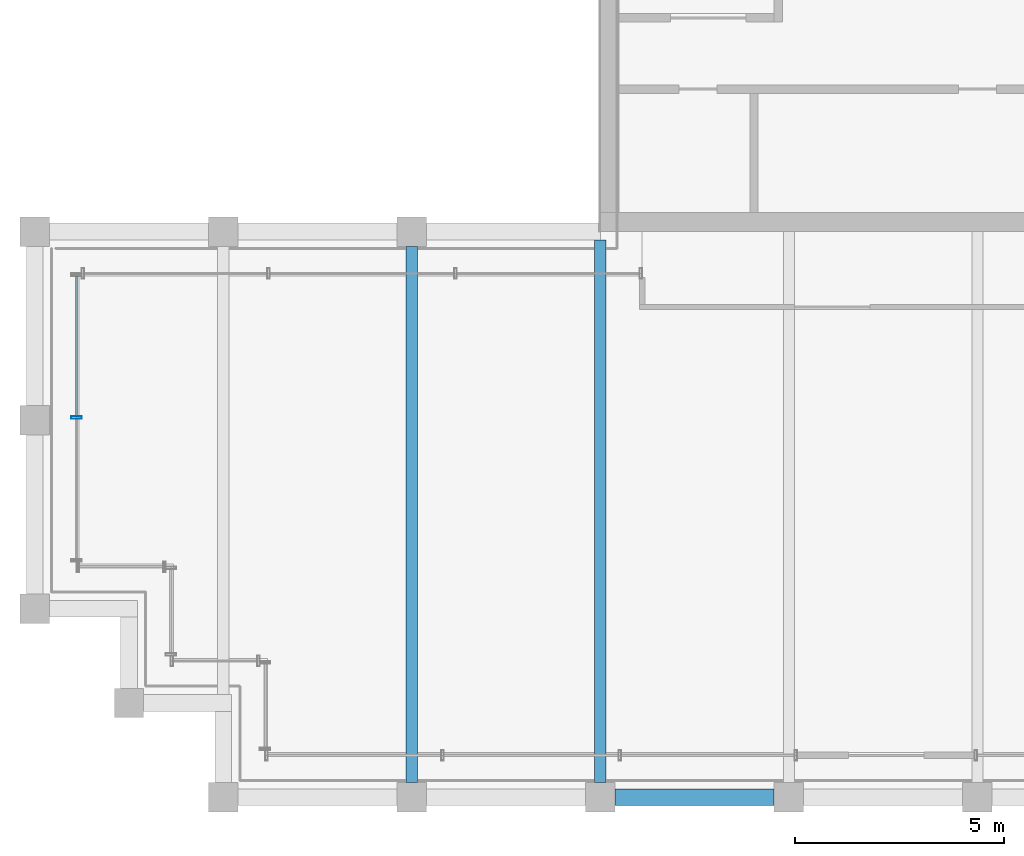
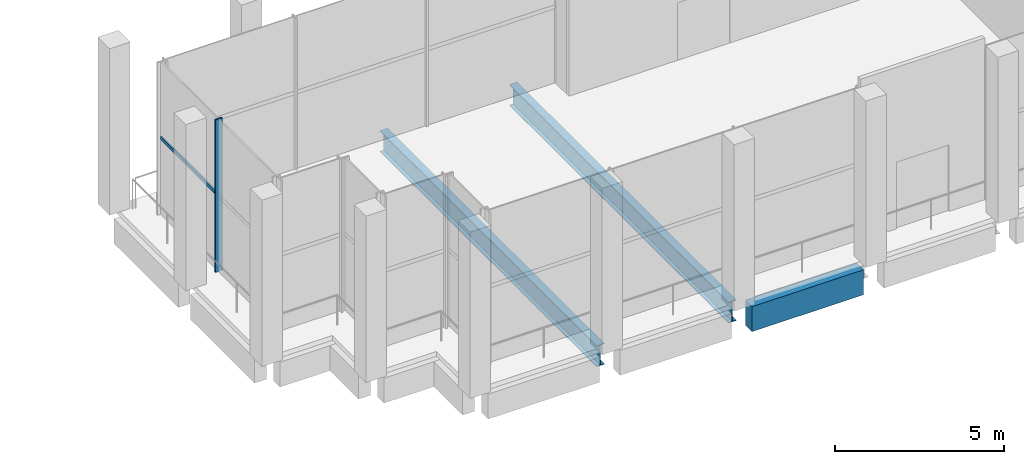
# One storey, part 3 of 15: 3 beams, 2 members, 1 element without a shape of its own.
"""IFC4 building model written with IfcOpenShell, lengths in metres."""

from ifc_helpers import new_model, si_unit, direction, frame, origin, origin_2d, place, context, subcontext, project, spatial, rectangle, hollow_rectangle, i_section, extrude, material, material_profile, profile_set, type_object, element, aggregate, save


model = new_model("IFC4")

# Units and contexts
model_context = context("Model", 3, precision=1e-05, world=origin(), true_north=direction((0.0, 1.0)))
body_context = subcontext(model_context, "Body", "Model", "MODEL_VIEW")
ifc_project = project(units=[si_unit("LENGTHUNIT", "METRE"), si_unit("AREAUNIT", "SQUARE_METRE"), si_unit("VOLUMEUNIT", "CUBIC_METRE"), si_unit("PLANEANGLEUNIT", "RADIAN"), si_unit("MASSUNIT", "GRAM", prefix="KILO")], contexts=[model_context])

# Site, building, storey
site_placement = place(None, origin())
site = spatial("IfcSite", under=ifc_project, at=site_placement, CompositionType="ELEMENT")
building_placement = place(site_placement, origin())
building = spatial("IfcBuilding", under=site, at=building_placement, Name="Altepetl Exchange Towers", CompositionType="ELEMENT")
storey_placement = place(building_placement, frame((0.0, 0.0, 263.60009765625)))
storey = spatial("IfcBuildingStorey", under=building, at=storey_placement, Name="L67 Observation deck", CompositionType="ELEMENT", Elevation=263.60009765625)

# Beams
ifc_material_1 = material(Name="Steel S355", Category="steel")
ifc_material_profile_1 = material_profile(ifc_material_1, i_section(OverallWidth=0.26611328125, OverallDepth=0.758056640625, WebThickness=0.013916015625, FlangeThickness=0.019287109375, at=origin_2d()), Name="W30X108")
ifc_profile_set_1 = profile_set([ifc_material_profile_1], Name="Steel S355")
beam_type_1 = type_object("IfcBeamType", Name="Floor beam W30X108", PredefinedType="BEAM", material=ifc_profile_set_1)
beam_1_placement = place(storey_placement, frame((36.0, 27.35009765625, -0.55419921875), z_axis=(0.0, 1.0, 0.0), x_axis=(-1.0, 0.0, 0.0)))
element("IfcBeam", 1, at=beam_1_placement, inside=storey, type_object=beam_type_1, Name="bm:A:L67:007", PredefinedType="BEAM", context=body_context, shape_type="SweptSolid", body=[
    extrude(i_section(OverallWidth=0.26611328125, OverallDepth=0.758056640625, WebThickness=0.013916015625, FlangeThickness=0.019287109375, at=origin_2d()), origin(), (0.0, 0.0, 1.0), 12.7998046875),
])
beam_2_placement = place(storey_placement, frame((40.5, 27.35009765625, -0.55419921875), z_axis=(0.0, 1.0, 0.0), x_axis=(-1.0, 0.0, 0.0)))
element("IfcBeam", 2, at=beam_2_placement, inside=storey, type_object=beam_type_1, Name="bm:A:L67:008", PredefinedType="BEAM", context=body_context, shape_type="SweptSolid", body=[
    extrude(i_section(OverallWidth=0.26611328125, OverallDepth=0.758056640625, WebThickness=0.013916015625, FlangeThickness=0.019287109375, at=origin_2d()), origin(), (0.0, 0.0, 1.0), 12.949951171875),
])

# Curtain wall, member
ifc_material_2 = material(Name="Aluminium 6063-T6 glazing", Category="aluminium")
curtain_wall_type = type_object("IfcCurtainWallType", Name="Executive flush glazing system", PredefinedType="NOTDEFINED", material=ifc_material_2)
curtain_wall_placement = place(storey_placement, origin())
curtain_wall = element("IfcCurtainWall", 3, at=curtain_wall_placement, inside=storey, type_object=curtain_wall_type, Name="CW4 run", PredefinedType="NOTDEFINED")
ifc_material_3 = material(Name="Aluminium 6063-T6", Category="aluminium")
ifc_material_profile_2 = material_profile(ifc_material_3, hollow_rectangle(XDim=0.06005859375, YDim=0.25, WallThickness=0.0029296875, at=origin_2d()), Name="Mullion 60x250 hollow aluminium")
ifc_profile_set_2 = profile_set([ifc_material_profile_2], Name="Aluminium 6063-T6")
member_type_1 = type_object("IfcMemberType", Name="Mullion 60x250 hollow aluminium", PredefinedType="MULLION", material=ifc_profile_set_2)
member_1_placement = place(storey_placement, frame((28.0, 36.0625, 0.0), z_axis=(0.0, 0.0, 1.0), x_axis=(0.0, -1.0, 0.0)))
member_1 = element("IfcMember", 4, at=member_1_placement, type_object=member_type_1, Name="MU3 mullion", PredefinedType="MULLION", context=body_context, shape_type="SweptSolid", body=[
    extrude(hollow_rectangle(XDim=0.06005859375, YDim=0.25, WallThickness=0.0029296875, at=origin_2d()), origin(), (0.0, 0.0, 1.0), 5.5),
])

# Beam
ifc_material_4 = material(Name="Concrete C50/60 precast with cantera blanca facing", Category="concrete")
ifc_material_profile_3 = material_profile(ifc_material_4, rectangle(XDim=0.39990234375, YDim=0.89990234375, at=origin_2d()), Name="400 x 900")
ifc_profile_set_3 = profile_set([ifc_material_profile_3], Name="Concrete C50/60 precast with cantera blanca facing")
beam_type_2 = type_object("IfcBeamType", Name="Spandrel beam 400x900 cantera blanca", PredefinedType="SPANDREL", material=ifc_profile_set_3)
beam_3_placement = place(storey_placement, frame((40.85009765625, 27.0, -0.625), z_axis=(1.0, 0.0, 0.0), x_axis=(0.0, 1.0, 0.0)))
element("IfcBeam", 5, at=beam_3_placement, inside=storey, type_object=beam_type_2, Name="sp:A:L67:002", PredefinedType="SPANDREL", context=body_context, shape_type="SweptSolid", body=[
    extrude(rectangle(XDim=0.39990234375, YDim=0.89990234375, at=origin_2d()), origin(), (0.0, 0.0, 1.0), 3.7998046875),
])

# Member
ifc_material_profile_4 = material_profile(ifc_material_3, hollow_rectangle(XDim=0.050048828125, YDim=0.139892578125, WallThickness=0.0029296875, at=origin_2d()), Name="Transom 50x140 hollow aluminium")
ifc_profile_set_4 = profile_set([ifc_material_profile_4], Name="Aluminium 6063-T6")
member_type_2 = type_object("IfcMemberType", Name="Transom 50x140 hollow aluminium", PredefinedType="USERDEFINED", material=ifc_profile_set_4)
member_2_placement = place(storey_placement, frame((28.0, 39.43994140625, 2.75), z_axis=(0.0, -1.0, 0.0), x_axis=(1.0, 0.0, 0.0)))
member_2 = element("IfcMember", 6, at=member_2_placement, type_object=member_type_2, Name="TR2 transom", ObjectType="TRANSOM", PredefinedType="USERDEFINED", context=body_context, shape_type="SweptSolid", body=[
    extrude(hollow_rectangle(XDim=0.050048828125, YDim=0.139892578125, WallThickness=0.0029296875, at=origin_2d()), origin(), (0.0, 0.0, 1.0), 3.347412109375),
])

aggregate(curtain_wall, [member_1, member_2])

save(model, "model.ifc")
